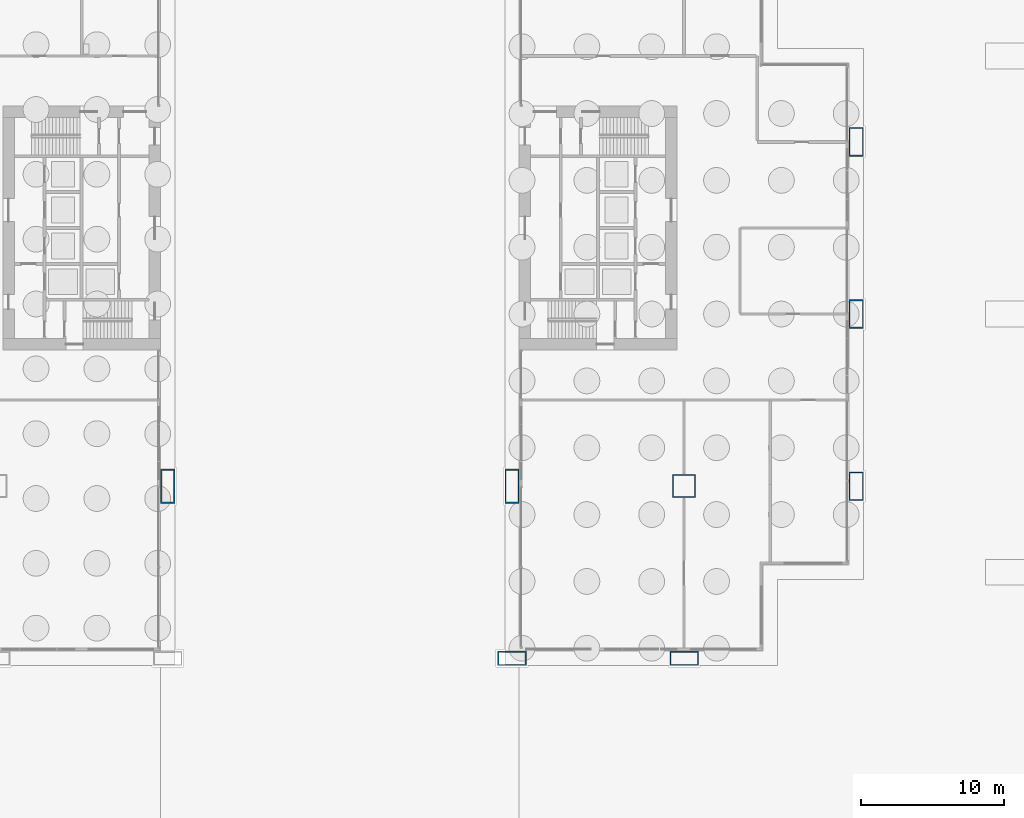
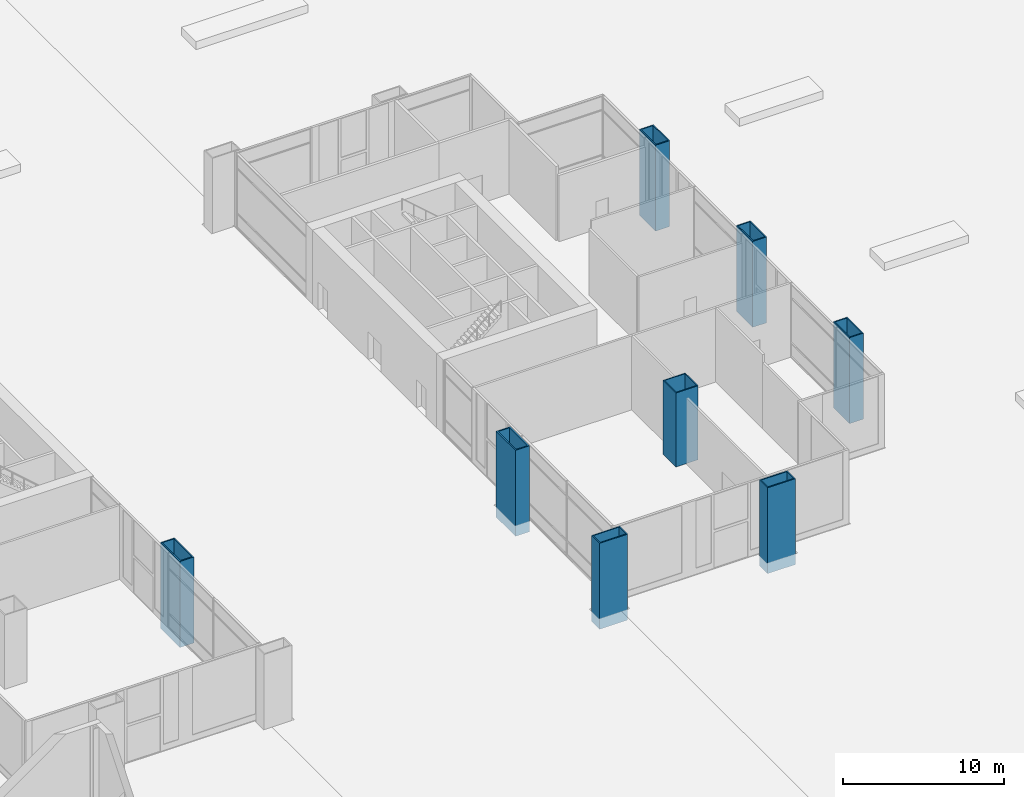
# One storey, part 6 of 29: 8 columns.
"""IFC4 building model written with IfcOpenShell, lengths in metres."""

from ifc_helpers import new_model, si_unit, direction, frame, origin, origin_2d, place, context, subcontext, project, spatial, hollow_rectangle, extrude, material, material_profile, profile_set, type_object, element, save


model = new_model("IFC4")

# Units and contexts
model_context = context("Model", 3, precision=1e-05, world=origin(), true_north=direction((0.0, 1.0)))
body_context = subcontext(model_context, "Body", "Model", "MODEL_VIEW")
ifc_project = project(units=[si_unit("LENGTHUNIT", "METRE"), si_unit("AREAUNIT", "SQUARE_METRE"), si_unit("VOLUMEUNIT", "CUBIC_METRE"), si_unit("PLANEANGLEUNIT", "RADIAN"), si_unit("MASSUNIT", "GRAM", prefix="KILO")], contexts=[model_context])

# Site, building, storey
site_placement = place(None, origin())
site = spatial("IfcSite", under=ifc_project, at=site_placement, CompositionType="ELEMENT")
building_placement = place(site_placement, origin())
building = spatial("IfcBuilding", under=site, at=building_placement, Name="Kitamizu Gate Tower and Museum", CompositionType="ELEMENT")
storey_placement = place(building_placement, origin())
storey = spatial("IfcBuildingStorey", under=building, at=storey_placement, Name="L00", CompositionType="ELEMENT", Elevation=0.0)

# Columns
ifc_material_1 = material(Name="Steel SM490A bronze coated", Category="steel")
ifc_material_profile_1 = material_profile(ifc_material_1, hollow_rectangle(XDim=2.39990234375, YDim=1.0, WallThickness=0.090087890625, at=origin_2d()), Name="BOX 2400x1000x90")
ifc_profile_set_1 = profile_set([ifc_material_profile_1], Name="Steel SM490A bronze coated")
column_type_1 = type_object("IfcColumnType", Name="Arch jamb column JC1 BOX 2400x1000x90", PredefinedType="COLUMN", material=ifc_profile_set_1)
for number, where, z_axis, x_axis, name in (
    (1, (24.0, 12.0, -0.89990234375), (0.0, 0.0, 1.0), (0.0, 1.0, 0.0), "Column JC1 3B L00"),
    (2, (48.0, 12.0, -0.89990234375), (0.0, 0.0, 1.0), (0.0, 1.0, 0.0), "Column JC1 5B L00"),
):
    element("IfcColumn", number, at=place(storey_placement, frame(where, z_axis=z_axis, x_axis=x_axis)), inside=storey, type_object=column_type_1, Name=name, PredefinedType="COLUMN", context=body_context, shape_type="SweptSolid", body=[
        extrude(hollow_rectangle(XDim=2.39990234375, YDim=1.0, WallThickness=0.090087890625, at=origin_2d()), origin(), (0.0, 0.0, 1.0), 6.5),
    ])
ifc_material_2 = material(Name="Steel SM490A", Category="steel")
ifc_material_profile_2 = material_profile(ifc_material_2, hollow_rectangle(XDim=1.60009765625, YDim=1.60009765625, WallThickness=0.070068359375, at=origin_2d()), Name="BOX 1600x1600x70")
ifc_profile_set_2 = profile_set([ifc_material_profile_2], Name="Steel SM490A")
column_type_2 = type_object("IfcColumnType", Name="Interior column IC1 BOX 1600x1600x70", PredefinedType="COLUMN", material=ifc_profile_set_2)
column_placement = place(storey_placement, frame((60.0, 12.0, 0.0), z_axis=(0.0, 0.0, 1.0), x_axis=(1.0, 0.0, 0.0)))
element("IfcColumn", 3, at=column_placement, inside=storey, type_object=column_type_2, Name="Column IC1 6B L00", PredefinedType="COLUMN", context=body_context, shape_type="SweptSolid", body=[
    extrude(hollow_rectangle(XDim=1.60009765625, YDim=1.60009765625, WallThickness=0.070068359375, at=origin_2d()), origin(), (0.0, 0.0, 1.0), 5.60009765625),
])
ifc_material_3 = material(Name="Steel SM490A bronze coated", Category="steel")
ifc_material_profile_3 = material_profile(ifc_material_3, hollow_rectangle(XDim=2.0, YDim=1.0, WallThickness=0.080078125, at=origin_2d()), Name="BOX 2000x1000x80")
ifc_profile_set_3 = profile_set([ifc_material_profile_3], Name="Steel SM490A bronze coated")
column_type_3 = type_object("IfcColumnType", Name="Podium leg column LC1 BOX 2000x1000x80", PredefinedType="COLUMN", material=ifc_profile_set_3)
for number, where, z_axis, x_axis, name in (
    (4, (48.0, 0.0, -0.89990234375), (0.0, 0.0, 1.0), (1.0, 0.0, 0.0), "Column LC1 5A L00"),
    (5, (60.0, 0.0, -0.89990234375), (0.0, 0.0, 1.0), (1.0, 0.0, 0.0), "Column LC1 6A L00"),
    (6, (72.0, 12.0, -0.89990234375), (0.0, 0.0, 1.0), (0.0, 1.0, 0.0), "Column LC1 7B L00"),
    (7, (72.0, 24.0, -0.89990234375), (0.0, 0.0, 1.0), (0.0, 1.0, 0.0), "Column LC1 7C L00"),
    (8, (72.0, 36.0, -0.89990234375), (0.0, 0.0, 1.0), (0.0, 1.0, 0.0), "Column LC1 7D L00"),
):
    element("IfcColumn", number, at=place(storey_placement, frame(where, z_axis=z_axis, x_axis=x_axis)), inside=storey, type_object=column_type_3, Name=name, PredefinedType="COLUMN", context=body_context, shape_type="SweptSolid", body=[
        extrude(hollow_rectangle(XDim=2.0, YDim=1.0, WallThickness=0.080078125, at=origin_2d()), origin(), (0.0, 0.0, 1.0), 6.5),
    ])

save(model, "model.ifc")
